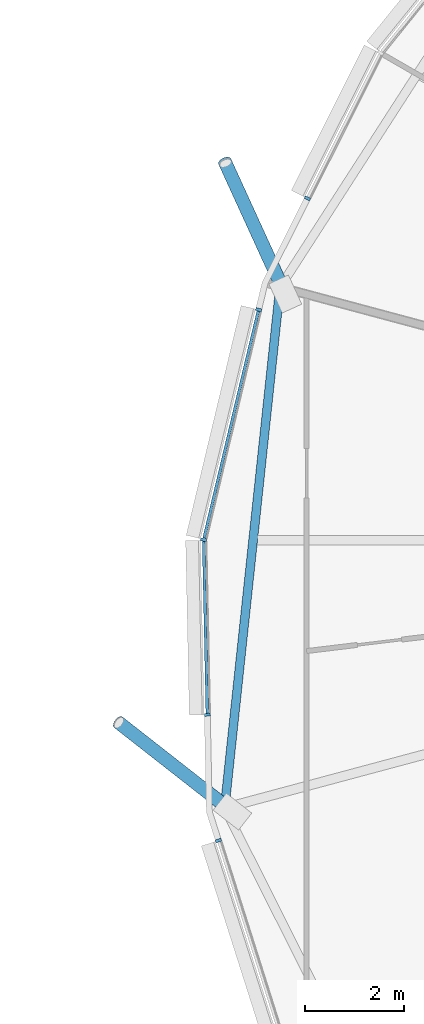
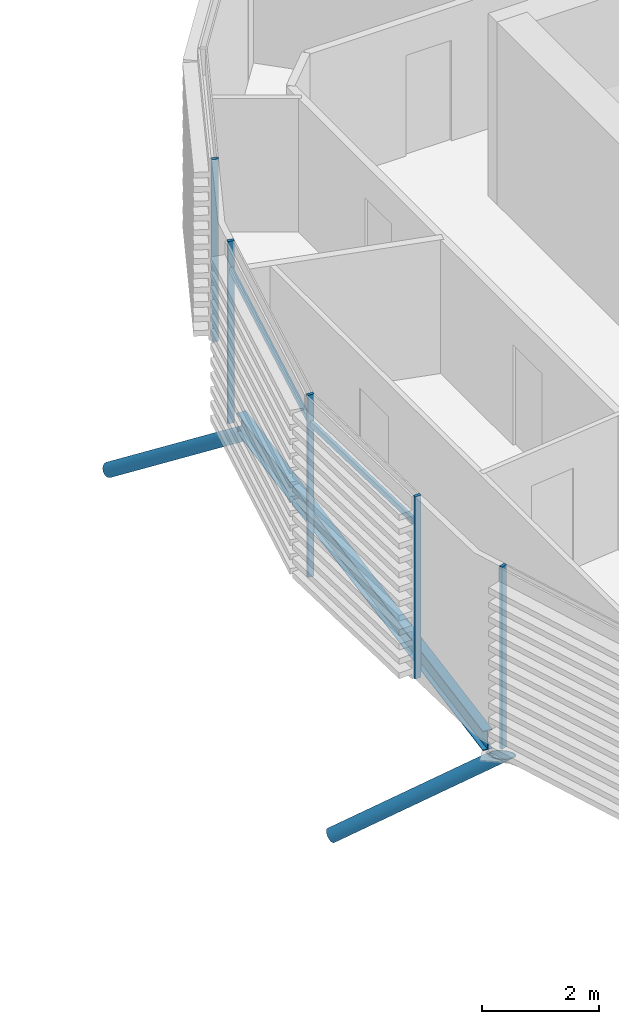
# One storey, part 9 of 36: 9 members, 1 beam, 1 element without a shape of its own.
"""IFC4 building model written with IfcOpenShell, lengths in metres."""

from ifc_helpers import new_model, si_unit, direction, frame, origin, origin_2d, place, context, subcontext, project, spatial, rectangle, hollow_circle, i_section, extrude, clip, halfspace, material, material_profile, profile_set, type_object, element, aggregate, save


model = new_model("IFC4")

# Units and contexts
model_context = context("Model", 3, precision=1e-05, world=origin(), true_north=direction((0.0, 1.0)))
body_context = subcontext(model_context, "Body", "Model", "MODEL_VIEW")
ifc_project = project(units=[si_unit("LENGTHUNIT", "METRE"), si_unit("AREAUNIT", "SQUARE_METRE"), si_unit("VOLUMEUNIT", "CUBIC_METRE"), si_unit("PLANEANGLEUNIT", "RADIAN"), si_unit("MASSUNIT", "GRAM", prefix="KILO")], contexts=[model_context])

# Site, building, storey
site_placement = place(None, origin())
site = spatial("IfcSite", under=ifc_project, at=site_placement, CompositionType="ELEMENT")
building_placement = place(site_placement, origin())
building = spatial("IfcBuilding", under=site, at=building_placement, Name="Rimbun Link Towers", CompositionType="ELEMENT")
storey_placement = place(building_placement, frame((0.0, 0.0, 189.300048828125)))
storey = spatial("IfcBuildingStorey", under=building, at=storey_placement, Name="L46", CompositionType="ELEMENT", Elevation=189.300048828125)

# Curtain wall, members
ifc_material_1 = material(Name="Aluminium 6063-T6 and low-iron glass", Category="aluminium")
curtain_wall_type = type_object("IfcCurtainWallType", Name="CW1-Z3 unitised vision wall (zone 3)", PredefinedType="NOTDEFINED", material=ifc_material_1)
curtain_wall_placement = place(storey_placement, origin())
curtain_wall = element("IfcCurtainWall", 1, at=curtain_wall_placement, inside=storey, type_object=curtain_wall_type, Name="CW1 L46 T2", PredefinedType="NOTDEFINED")
ifc_material_2 = material(Name="Aluminium 6063-T6", Category="aluminium")
ifc_material_profile_1 = material_profile(ifc_material_2, rectangle(XDim=0.1201171875, YDim=0.06005859375, at=origin_2d()), Name="MULLION 60X120")
ifc_profile_set_1 = profile_set([ifc_material_profile_1], Name="Aluminium 6063-T6")
member_type_1 = type_object("IfcMemberType", Name="CW1 mullion 60X120", PredefinedType="MULLION", material=ifc_profile_set_1)
member_1_placement = place(storey_placement, frame((13.25146484375, 6.8955078125, 0.0), z_axis=(0.0, 0.0, 1.0), x_axis=(-0.893641971467, 0.448780599884, 0.0)))
member_1 = element("IfcMember", 2, at=member_1_placement, type_object=member_type_1, Name="CW1 mullion", PredefinedType="MULLION", context=body_context, shape_type="SweptSolid", body=[
    extrude(rectangle(XDim=0.1201171875, YDim=0.06005859375, at=origin_2d()), origin(), (0.0, 0.0, 1.0), 3.800048828125),
])
member_2_placement = place(storey_placement, frame((11.15625, 0.00634765625, 0.0), z_axis=(0.0, 0.0, 1.0), x_axis=(-0.99429828972, 0.10663447407, 0.0)))
member_2 = element("IfcMember", 3, at=member_2_placement, type_object=member_type_1, Name="CW1 mullion", PredefinedType="MULLION", context=body_context, shape_type="SweptSolid", body=[
    extrude(rectangle(XDim=0.1201171875, YDim=0.06005859375, at=origin_2d()), origin(), (0.0, 0.0, 1.0), 3.800048828125),
])
member_3_placement = place(storey_placement, frame((12.26611328125, 4.649658203125, 0.0), z_axis=(0.0, 0.0, 1.0), x_axis=(-0.972573434414, 0.232596033225, 0.0)))
member_3 = element("IfcMember", 4, at=member_3_placement, type_object=member_type_1, Name="CW1 mullion", PredefinedType="MULLION", context=body_context, shape_type="SweptSolid", body=[
    extrude(rectangle(XDim=0.1201171875, YDim=0.06005859375, at=origin_2d()), origin(), (0.0, 0.0, 1.0), 3.800048828125),
])
member_4_placement = place(storey_placement, frame((11.230224609375, -3.52294921875, 0.0), z_axis=(0.0, 0.0, 1.0), x_axis=(-0.999778017463, -0.02106930936, 0.0)))
member_4 = element("IfcMember", 5, at=member_4_placement, type_object=member_type_1, Name="CW1 mullion", PredefinedType="MULLION", context=body_context, shape_type="SweptSolid", body=[
    extrude(rectangle(XDim=0.1201171875, YDim=0.06005859375, at=origin_2d()), origin(), (0.0, 0.0, 1.0), 3.800048828125),
])
member_5_placement = place(storey_placement, frame((11.455810546875, -6.061279296875, 0.0), z_axis=(0.0, 0.0, 1.0), x_axis=(-0.95297360206, -0.303053318374, 0.0)))
member_5 = element("IfcMember", 6, at=member_5_placement, type_object=member_type_1, Name="CW1 mullion", PredefinedType="MULLION", context=body_context, shape_type="SweptSolid", body=[
    extrude(rectangle(XDim=0.1201171875, YDim=0.06005859375, at=origin_2d()), origin(), (0.0, 0.0, 1.0), 3.800048828125),
])
ifc_material_3 = material(Name="Aluminium 6063-T6", Category="aluminium")
ifc_material_profile_2 = material_profile(ifc_material_3, rectangle(XDim=0.06005859375, YDim=0.1201171875, at=origin_2d()), Name="TRANSOM 60X120")
ifc_profile_set_2 = profile_set([ifc_material_profile_2], Name="Aluminium 6063-T6")
member_type_2 = type_object("IfcMemberType", Name="CW1 transom 60X120", PredefinedType="USERDEFINED", material=ifc_profile_set_2)
member_6_placement = place(storey_placement, frame((11.16650390625, 0.042724609375, 3.199951171875), z_axis=(0.232599880231, 0.972572514374, 0.0), x_axis=(-0.972572514374, 0.232599880231, 0.0)))
member_6 = element("IfcMember", 7, at=member_6_placement, type_object=member_type_2, Name="CW1 transom", ObjectType="TRANSOM", PredefinedType="USERDEFINED", context=body_context, shape_type="SweptSolid", body=[
    extrude(rectangle(XDim=0.06005859375, YDim=0.1201171875, at=origin_2d()), origin(), (0.0, 0.0, 1.0), 4.70654296875),
])
member_7_placement = place(storey_placement, frame((11.2314453125, -3.492919921875, 3.199951171875), z_axis=(-0.021082836727, 0.999777732296, 0.0), x_axis=(-0.999777732296, -0.021082836727, 0.0)))
member_7 = element("IfcMember", 8, at=member_7_placement, type_object=member_type_2, Name="CW1 transom", ObjectType="TRANSOM", PredefinedType="USERDEFINED", context=body_context, shape_type="SweptSolid", body=[
    extrude(rectangle(XDim=0.06005859375, YDim=0.1201171875, at=origin_2d()), origin(), (0.0, 0.0, 1.0), 3.46240234375),
])
aggregate(curtain_wall, [member_1, member_2, member_3, member_4, member_5, member_6, member_7])

# Members
ifc_material_4 = material(Name="Steel S355J2H", Category="steel")
ifc_material_profile_3 = material_profile(ifc_material_4, hollow_circle(Radius=0.136474609375, WallThickness=0.012451171875, at=origin_2d()), Name="CHS 273x12.5")
ifc_profile_set_3 = profile_set([ifc_material_profile_3], Name="Steel S355J2H")
member_type_3 = type_object("IfcMemberType", Name="Floor edge link CHS 273x12.5", PredefinedType="BRACE", material=ifc_profile_set_3)
member_8_placement = place(storey_placement, frame((12.747314453125, 5.091796875, -0.66943359375), z_axis=(-0.344152590481, 0.753136107385, -0.560664782395), x_axis=(-0.909537574325, -0.415621704065, 0.0)))
element("IfcMember", 9, at=member_8_placement, inside=storey, type_object=member_type_3, Name="Floor edge link T2 L46 08", PredefinedType="BRACE", context=body_context, shape_type="Clipping", body=[
    clip(extrude(hollow_circle(Radius=0.136474609375, WallThickness=0.012451171875, at=origin_2d()), frame((0.0, 0.0, -0.421142578125)), (0.0, 0.0, 1.0), 3.802734375), halfspace(frame((0.0, 0.0, -0.197998046875), z_axis=(0.0, 0.828042874362, -0.560664782395)), False)),
])
member_9_placement = place(storey_placement, frame((11.628173828125, -5.3916015625, -0.717041015625), z_axis=(-0.654488356094, 0.51254409895, -0.555826896046), x_axis=(-0.616558758763, -0.787308895537, 0.0)))
element("IfcMember", 10, at=member_9_placement, inside=storey, type_object=member_type_3, Name="Floor edge link T2 L46 10", PredefinedType="BRACE", context=body_context, shape_type="Clipping", body=[
    clip(extrude(hollow_circle(Radius=0.136474609375, WallThickness=0.012451171875, at=origin_2d()), frame((0.0, 0.0, -0.42626953125)), (0.0, 0.0, 1.0), 3.776611328125), halfspace(frame((0.0, 0.0, -0.20068359375), z_axis=(0.0, 0.831298058239, -0.555826896046)), False)),
])

# Beam
ifc_material_5 = material(Name="Steel S355J2", Category="steel")
ifc_material_profile_4 = material_profile(ifc_material_5, i_section(OverallWidth=0.177978515625, OverallDepth=0.406494140625, WebThickness=0.0078125, FlangeThickness=0.0126953125, at=origin_2d()), Name="UB 406x178x60")
ifc_profile_set_4 = profile_set([ifc_material_profile_4], Name="Steel S355J2")
beam_type = type_object("IfcBeamType", Name="UB 406x178x60", PredefinedType="BEAM", material=ifc_profile_set_4)
beam_placement = place(storey_placement, frame((12.689453125, 5.01416015625, -0.353271484375), z_axis=(-0.10589249422, -0.994377584053, 0.0), x_axis=(0.994377584053, -0.10589249422, 0.0)))
element("IfcBeam", 11, at=beam_placement, inside=storey, type_object=beam_type, Name="Edge beam T2 L46 08-10", PredefinedType="BEAM", context=body_context, shape_type="SweptSolid", body=[
    extrude(i_section(OverallWidth=0.177978515625, OverallDepth=0.406494140625, WebThickness=0.0078125, FlangeThickness=0.0126953125, at=origin_2d()), origin(), (0.0, 0.0, 1.0), 10.375),
])

save(model, "model.ifc")
